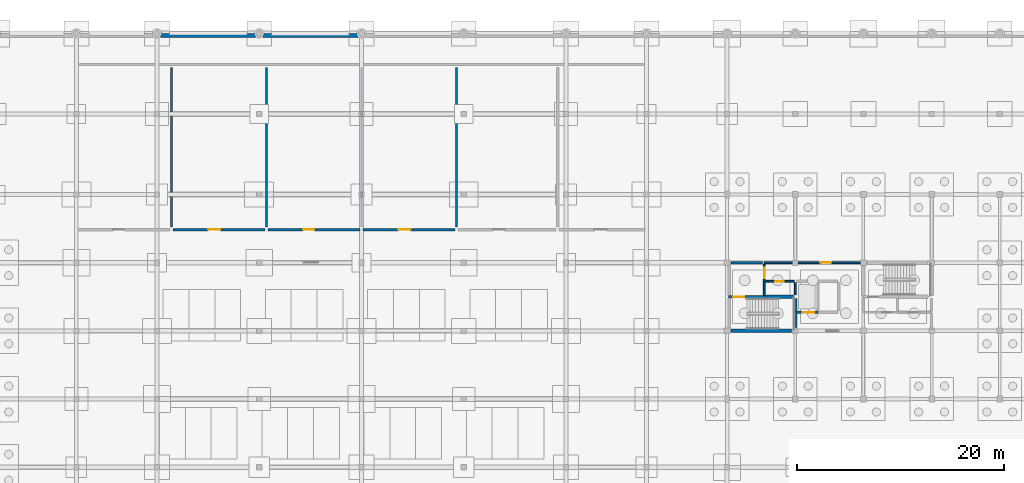
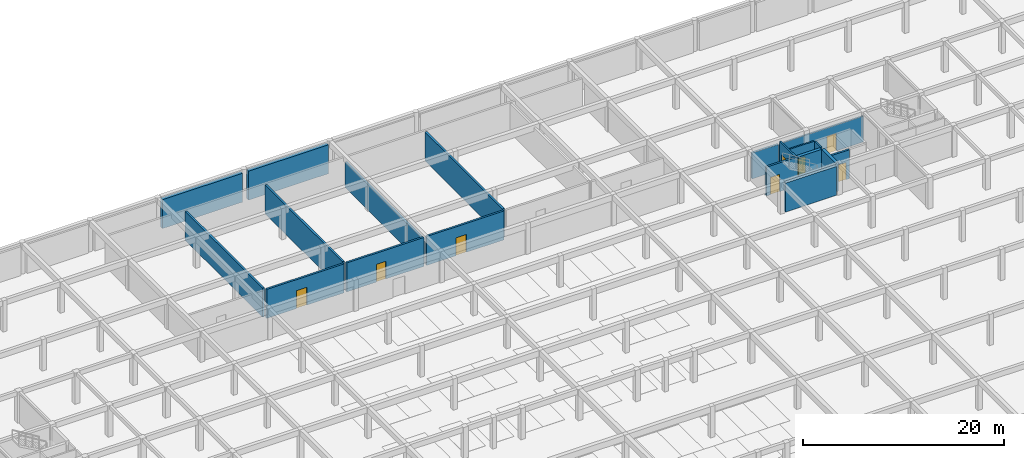
# One storey, part 28 of 37: 19 walls, 8 doors, 8 openings.
"""IFC4 building model written with IfcOpenShell, lengths in metres."""

from ifc_helpers import new_model, si_unit, direction, frame, frame_2d, origin, place, context, subcontext, project, spatial, rectangle, extrude, material, layer, layer_set, type_object, element, fill, save


model = new_model("IFC4")

# Units and contexts
model_context = context("Model", 3, precision=1e-05, world=origin(), true_north=direction((0.0, 1.0)))
body_context = subcontext(model_context, "Body", "Model", "MODEL_VIEW")
ifc_project = project(units=[si_unit("LENGTHUNIT", "METRE"), si_unit("AREAUNIT", "SQUARE_METRE"), si_unit("VOLUMEUNIT", "CUBIC_METRE"), si_unit("PLANEANGLEUNIT", "RADIAN"), si_unit("MASSUNIT", "GRAM", prefix="KILO")], contexts=[model_context])

# Site, building, storey
site_placement = place(None, origin())
site = spatial("IfcSite", under=ifc_project, at=site_placement, CompositionType="ELEMENT")
building_placement = place(site_placement, origin())
building = spatial("IfcBuilding", under=site, at=building_placement, Name="Kernevlak Ridge Housing Community", CompositionType="ELEMENT")
storey_placement = place(building_placement, frame((0.0, 0.0, -3.800048828125)))
storey = spatial("IfcBuildingStorey", under=building, at=storey_placement, Name="B1", CompositionType="ELEMENT", Elevation=-3.800048828125)

# Wall, opening, door
ifc_material_1 = material(Name="Concrete C35/45", Category="concrete")
ifc_layer_1 = layer(ifc_material_1, 0.22509765625, Name="Concrete C35/45")
ifc_layer_set_1 = layer_set([ifc_layer_1], Name="Concrete C35/45")
wall_type_1 = type_object("IfcWallType", Name="PW-01", PredefinedType="STANDARD", material=ifc_layer_set_1)
wall_1_placement = place(storey_placement, frame((119.550048828125, 92.5, 0.0), z_axis=(0.0, 0.0, 1.0), x_axis=(1.0, 0.0, 0.0)))
wall_1 = element("IfcWall", 1, at=wall_1_placement, inside=storey, type_object=wall_type_1, Name="Interior wall PW-01 WAL-INT-B1-1136", PredefinedType="STANDARD", context=body_context, shape_type="SweptSolid", body=[
    extrude(rectangle(XDim=3.599853515625, YDim=0.22509765625, at=frame_2d((1.7998046875, 0.0))), origin(), (0.0, 0.0, 1.0), 3.52001953125),
])
opening_1_placement = place(wall_1_placement, frame((0.449951171875, 0.0, 0.0)))
opening_1 = element("IfcOpeningElement", 2, at=opening_1_placement, cuts=wall_1, Name="Opening D577", PredefinedType="OPENING", context=body_context, shape_type="SweptSolid", body=[
    extrude(rectangle(XDim=1.0400390625, YDim=2.1201171875, at=frame_2d((0.52001953125, 1.06005859375))), frame((0.0, 0.12255859375, 0.0), z_axis=(0.0, -1.0, 0.0), x_axis=(1.0, 0.0, 0.0)), (0.0, 0.0, 1.0), 0.2451171875),
])
ifc_material_2 = material(Name="Fire-rated sheet steel leaf", Category="steel")
door_type_1 = type_object("IfcDoorType", Name="DT-16", OperationType="NOTDEFINED", PredefinedType="DOOR", material=ifc_material_2)
door_1_placement = place(opening_1_placement, origin())
door_1 = element("IfcDoor", 3, at=door_1_placement, inside=storey, type_object=door_type_1, Name="Block B Stair 1 fire door D577", OperationType="SINGLE_SWING_LEFT", OverallHeight=2.1201171875, OverallWidth=1.0400390625, PredefinedType="DOOR", context=body_context, shape_type="SweptSolid", body=[
    extrude(rectangle(XDim=1.0400390625, YDim=2.1201171875, at=frame_2d((0.52001953125, 1.06005859375))), frame((0.0, 0.02490234375, 0.0), z_axis=(0.0, -1.0, 0.0), x_axis=(1.0, 0.0, 0.0)), (0.0, 0.0, 1.0), 0.050048828125),
])
fill(opening_1, door_1)

wall_2_placement = place(storey_placement, frame((126.18505859375, 91.0, 0.0), z_axis=(0.0, 0.0, 1.0), x_axis=(1.0, 0.0, 0.0)))
wall_2 = element("IfcWall", 4, at=wall_2_placement, inside=storey, type_object=wall_type_1, Name="Interior wall PW-01 WAL-INT-B1-1140", PredefinedType="STANDARD", context=body_context, shape_type="SweptSolid", body=[
    extrude(rectangle(XDim=2.014892578125, YDim=0.22509765625, at=frame_2d((1.00732421875, 0.0))), origin(), (0.0, 0.0, 1.0), 3.52001953125),
])
opening_2_placement = place(wall_2_placement, frame((0.550048828125, 0.0, 0.0)))
opening_2 = element("IfcOpeningElement", 5, at=opening_2_placement, cuts=wall_2, Name="Opening LD29", PredefinedType="OPENING", context=body_context, shape_type="SweptSolid", body=[
    extrude(rectangle(XDim=1.10009765625, YDim=2.10009765625, at=frame_2d((0.550048828125, 1.050048828125))), frame((0.0, 0.12255859375, 0.0), z_axis=(0.0, -1.0, 0.0), x_axis=(1.0, 0.0, 0.0)), (0.0, 0.0, 1.0), 0.2451171875),
])
ifc_material_3 = material(Name="Stainless steel EN 1.4401", Category="steel")
door_type_2 = type_object("IfcDoorType", Name="DT-LD1", OperationType="DOUBLE_DOOR_SLIDING", PredefinedType="DOOR", material=ifc_material_3)
door_2_placement = place(opening_2_placement, origin())
door_2 = element("IfcDoor", 6, at=door_2_placement, inside=storey, type_object=door_type_2, Name="Lift LF-B1 landing door LD29", OperationType="DOUBLE_DOOR_SLIDING", OverallHeight=2.10009765625, OverallWidth=1.10009765625, PredefinedType="DOOR", context=body_context, shape_type="SweptSolid", body=[
    extrude(rectangle(XDim=1.10009765625, YDim=2.10009765625, at=frame_2d((0.550048828125, 1.050048828125))), frame((0.0, 0.02490234375, 0.0), z_axis=(0.0, -1.0, 0.0), x_axis=(1.0, 0.0, 0.0)), (0.0, 0.0, 1.0), 0.050048828125),
])
fill(opening_2, door_2)

# Walls
wall_3_placement = place(storey_placement, frame((119.780029296875, 95.800048828125, 0.0), z_axis=(0.0, 0.0, 1.0), x_axis=(1.0, 0.0, 0.0)))
element("IfcWall", 7, at=wall_3_placement, inside=storey, type_object=wall_type_1, Name="Interior wall PW-01 WAL-INT-B1-1155", PredefinedType="STANDARD", context=body_context, shape_type="SweptSolid", body=[
    extrude(rectangle(XDim=3.0400390625, YDim=0.22509765625, at=frame_2d((1.52001953125, 0.0))), origin(), (0.0, 0.0, 1.0), 3.150146484375),
])
wall_4_placement = place(storey_placement, frame((65.60009765625, 99.280029296875, 0.0), z_axis=(0.0, 0.0, 1.0), x_axis=(0.0, 1.0, 0.0)))
element("IfcWall", 8, at=wall_4_placement, inside=storey, type_object=wall_type_1, Name="Interior wall PW-01 WAL-INT-B1-3524", PredefinedType="STANDARD", context=body_context, shape_type="SweptSolid", body=[
    extrude(rectangle(XDim=15.43994140625, YDim=0.22509765625, at=frame_2d((7.719970703125, 0.0))), origin(), (0.0, 0.0, 1.0), 3.52001953125),
])

# Wall, opening, door
wall_5_placement = place(storey_placement, frame((65.75, 99.0, 0.0), z_axis=(0.0, 0.0, 1.0), x_axis=(1.0, 0.0, 0.0)))
wall_5 = element("IfcWall", 9, at=wall_5_placement, inside=storey, type_object=wall_type_1, Name="Interior wall PW-01 WAL-INT-B1-3525", PredefinedType="STANDARD", context=body_context, shape_type="SweptSolid", body=[
    extrude(rectangle(XDim=8.89990234375, YDim=0.22509765625, at=frame_2d((4.449951171875, 0.0))), origin(), (0.0, 0.0, 1.0), 3.52001953125),
])
opening_3_placement = place(wall_5_placement, frame((3.39990234375, 0.0, 0.0)))
opening_3 = element("IfcOpeningElement", 10, at=opening_3_placement, cuts=wall_5, Name="Opening E786", PredefinedType="OPENING", context=body_context, shape_type="SweptSolid", body=[
    extrude(rectangle(XDim=1.199951171875, YDim=2.179931640625, at=frame_2d((0.60009765625, 1.08984375))), frame((0.0, 0.12255859375, 0.0), z_axis=(0.0, -1.0, 0.0), x_axis=(1.0, 0.0, 0.0)), (0.0, 0.0, 1.0), 0.2451171875),
])
door_type_3 = type_object("IfcDoorType", Name="DT-17", OperationType="NOTDEFINED", PredefinedType="DOOR", material=ifc_material_2)
door_3_placement = place(opening_3_placement, origin())
door_3 = element("IfcDoor", 11, at=door_3_placement, inside=storey, type_object=door_type_3, Name="Fire Water Pump Room fire door E786", OperationType="SINGLE_SWING_LEFT", OverallHeight=2.179931640625, OverallWidth=1.199951171875, PredefinedType="DOOR", context=body_context, shape_type="SweptSolid", body=[
    extrude(rectangle(XDim=1.199951171875, YDim=2.179931640625, at=frame_2d((0.60009765625, 1.08984375))), frame((0.0, 0.02490234375, 0.0), z_axis=(0.0, -1.0, 0.0), x_axis=(1.0, 0.0, 0.0)), (0.0, 0.0, 1.0), 0.050048828125),
])
fill(opening_3, door_3)

# Wall
wall_6_placement = place(storey_placement, frame((74.800048828125, 99.280029296875, 0.0), z_axis=(0.0, 0.0, 1.0), x_axis=(0.0, 1.0, 0.0)))
element("IfcWall", 12, at=wall_6_placement, inside=storey, type_object=wall_type_1, Name="Interior wall PW-01 WAL-INT-B1-3526", PredefinedType="STANDARD", context=body_context, shape_type="SweptSolid", body=[
    extrude(rectangle(XDim=15.43994140625, YDim=0.22509765625, at=frame_2d((7.719970703125, 0.0))), origin(), (0.0, 0.0, 1.0), 3.52001953125),
])

# Wall, opening, door
wall_7_placement = place(storey_placement, frame((74.949951171875, 99.0, 0.0), z_axis=(0.0, 0.0, 1.0), x_axis=(1.0, 0.0, 0.0)))
wall_7 = element("IfcWall", 13, at=wall_7_placement, inside=storey, type_object=wall_type_1, Name="Interior wall PW-01 WAL-INT-B1-3527", PredefinedType="STANDARD", context=body_context, shape_type="SweptSolid", body=[
    extrude(rectangle(XDim=8.900146484375, YDim=0.22509765625, at=frame_2d((4.4501953125, 0.0))), origin(), (0.0, 0.0, 1.0), 3.52001953125),
])
opening_4_placement = place(wall_7_placement, frame((3.39990234375, 0.0, 0.0)))
opening_4 = element("IfcOpeningElement", 14, at=opening_4_placement, cuts=wall_7, Name="Opening E787", PredefinedType="OPENING", context=body_context, shape_type="SweptSolid", body=[
    extrude(rectangle(XDim=1.10009765625, YDim=2.14990234375, at=frame_2d((0.550048828125, 1.074951171875))), frame((0.0, 0.12255859375, 0.0), z_axis=(0.0, -1.0, 0.0), x_axis=(1.0, 0.0, 0.0)), (0.0, 0.0, 1.0), 0.2451171875),
])
door_type_4 = type_object("IfcDoorType", Name="DT-06", OperationType="NOTDEFINED", PredefinedType="DOOR", material=ifc_material_2)
door_4_placement = place(opening_4_placement, origin())
door_4 = element("IfcDoor", 15, at=door_4_placement, inside=storey, type_object=door_type_4, Name="Electrical Substation Room fire door E787", OperationType="SINGLE_SWING_RIGHT", OverallHeight=2.14990234375, OverallWidth=1.10009765625, PredefinedType="DOOR", context=body_context, shape_type="SweptSolid", body=[
    extrude(rectangle(XDim=1.10009765625, YDim=2.14990234375, at=frame_2d((0.550048828125, 1.074951171875))), frame((0.0, 0.02490234375, 0.0), z_axis=(0.0, -1.0, 0.0), x_axis=(1.0, 0.0, 0.0)), (0.0, 0.0, 1.0), 0.050048828125),
])
fill(opening_4, door_4)

# Wall
wall_8_placement = place(storey_placement, frame((84.0, 99.280029296875, 0.0), z_axis=(0.0, 0.0, 1.0), x_axis=(0.0, 1.0, 0.0)))
element("IfcWall", 16, at=wall_8_placement, inside=storey, type_object=wall_type_1, Name="Interior wall PW-01 WAL-INT-B1-3528", PredefinedType="STANDARD", context=body_context, shape_type="SweptSolid", body=[
    extrude(rectangle(XDim=15.43994140625, YDim=0.22509765625, at=frame_2d((7.719970703125, 0.0))), origin(), (0.0, 0.0, 1.0), 3.10009765625),
])

# Wall, opening, door
wall_9_placement = place(storey_placement, frame((84.14990234375, 99.0, 0.0), z_axis=(0.0, 0.0, 1.0), x_axis=(1.0, 0.0, 0.0)))
wall_9 = element("IfcWall", 17, at=wall_9_placement, inside=storey, type_object=wall_type_1, Name="Interior wall PW-01 WAL-INT-B1-3529", PredefinedType="STANDARD", context=body_context, shape_type="SweptSolid", body=[
    extrude(rectangle(XDim=8.900146484375, YDim=0.22509765625, at=frame_2d((4.4501953125, 0.0))), origin(), (0.0, 0.0, 1.0), 3.52001953125),
])
opening_5_placement = place(wall_9_placement, frame((3.39990234375, 0.0, 0.0)))
opening_5 = element("IfcOpeningElement", 18, at=opening_5_placement, cuts=wall_9, Name="Opening E788", PredefinedType="OPENING", context=body_context, shape_type="SweptSolid", body=[
    extrude(rectangle(XDim=1.199951171875, YDim=2.179931640625, at=frame_2d((0.60009765625, 1.08984375))), frame((0.0, 0.12255859375, 0.0), z_axis=(0.0, -1.0, 0.0), x_axis=(1.0, 0.0, 0.0)), (0.0, 0.0, 1.0), 0.2451171875),
])
door_5_placement = place(opening_5_placement, origin())
door_5 = element("IfcDoor", 19, at=door_5_placement, inside=storey, type_object=door_type_3, Name="Emergency Generator Room fire door E788", OperationType="SINGLE_SWING_LEFT", OverallHeight=2.179931640625, OverallWidth=1.199951171875, PredefinedType="DOOR", context=body_context, shape_type="SweptSolid", body=[
    extrude(rectangle(XDim=1.199951171875, YDim=2.179931640625, at=frame_2d((0.60009765625, 1.08984375))), frame((0.0, 0.02490234375, 0.0), z_axis=(0.0, -1.0, 0.0), x_axis=(1.0, 0.0, 0.0)), (0.0, 0.0, 1.0), 0.050048828125),
])
fill(opening_5, door_5)

# Wall
wall_10_placement = place(storey_placement, frame((93.199951171875, 99.280029296875, 0.0), z_axis=(0.0, 0.0, 1.0), x_axis=(0.0, 1.0, 0.0)))
element("IfcWall", 20, at=wall_10_placement, inside=storey, type_object=wall_type_1, Name="Interior wall PW-01 WAL-INT-B1-3530", PredefinedType="STANDARD", context=body_context, shape_type="SweptSolid", body=[
    extrude(rectangle(XDim=15.43994140625, YDim=0.22509765625, at=frame_2d((7.719970703125, 0.0))), origin(), (0.0, 0.0, 1.0), 3.52001953125),
])

# Wall, opening, door
ifc_material_4 = material(Name="Concrete block masonry M10", Category="masonry")
ifc_layer_2 = layer(ifc_material_4, 0.175048828125, Name="Concrete block masonry M10")
ifc_layer_set_2 = layer_set([ifc_layer_2], Name="Concrete block masonry M10")
wall_type_2 = type_object("IfcWallType", Name="PW-02", PredefinedType="PARTITIONING", material=ifc_layer_set_2)
wall_11_placement = place(storey_placement, frame((123.0, 92.64990234375, 0.0), z_axis=(0.0, 0.0, 1.0), x_axis=(0.0, 1.0, 0.0)))
wall_11 = element("IfcWall", 21, at=wall_11_placement, inside=storey, type_object=wall_type_2, Name="Interior wall PW-02 WAL-INT-B1-1137", PredefinedType="PARTITIONING", context=body_context, shape_type="SweptSolid", body=[
    extrude(rectangle(XDim=3.0, YDim=0.175048828125, at=frame_2d((1.5, 0.0))), origin(), (0.0, 0.0, 1.0), 3.52001953125),
])
opening_6_placement = place(wall_11_placement, frame((1.64990234375, 0.0, 0.0)))
opening_6 = element("IfcOpeningElement", 22, at=opening_6_placement, cuts=wall_11, Name="Opening D578", PredefinedType="OPENING", context=body_context, shape_type="SweptSolid", body=[
    extrude(rectangle(XDim=1.0, YDim=2.10009765625, at=frame_2d((0.5, 1.050048828125))), frame((0.0, 0.097412109375, 0.0), z_axis=(0.0, -1.0, 0.0), x_axis=(1.0, 0.0, 0.0)), (0.0, 0.0, 1.0), 0.195068359375),
])
door_type_5 = type_object("IfcDoorType", Name="DT-05", OperationType="NOTDEFINED", PredefinedType="DOOR", material=ifc_material_2)
door_6_placement = place(opening_6_placement, origin())
door_6 = element("IfcDoor", 23, at=door_6_placement, inside=storey, type_object=door_type_5, Name="Block B Firefighting lobby 1 door D578", OperationType="SINGLE_SWING_RIGHT", OverallHeight=2.10009765625, OverallWidth=1.0, PredefinedType="DOOR", context=body_context, shape_type="SweptSolid", body=[
    extrude(rectangle(XDim=1.0, YDim=2.10009765625, at=frame_2d((0.5, 1.050048828125))), frame((0.0, 0.02490234375, 0.0), z_axis=(0.0, -1.0, 0.0), x_axis=(1.0, 0.0, 0.0)), (0.0, 0.0, 1.0), 0.050048828125),
])
fill(opening_6, door_6)

wall_12_placement = place(storey_placement, frame((123.10009765625, 94.0, 0.0), z_axis=(0.0, 0.0, 1.0), x_axis=(1.0, 0.0, 0.0)))
wall_12 = element("IfcWall", 24, at=wall_12_placement, inside=storey, type_object=wall_type_2, Name="Interior wall PW-02 WAL-INT-B1-1138", PredefinedType="PARTITIONING", context=body_context, shape_type="SweptSolid", body=[
    extrude(rectangle(XDim=2.7998046875, YDim=0.175048828125, at=frame_2d((1.39990234375, 0.0))), origin(), (0.0, 0.0, 1.0), 3.52001953125),
])
opening_7_placement = place(wall_12_placement, frame((0.949951171875, 0.0, 0.0)))
opening_7 = element("IfcOpeningElement", 25, at=opening_7_placement, cuts=wall_12, Name="Opening D579", PredefinedType="OPENING", context=body_context, shape_type="SweptSolid", body=[
    extrude(rectangle(XDim=0.85009765625, YDim=2.0, at=frame_2d((0.425048828125, 1.0))), frame((0.0, 0.097412109375, 0.0), z_axis=(0.0, -1.0, 0.0), x_axis=(1.0, 0.0, 0.0)), (0.0, 0.0, 1.0), 0.195068359375),
])
door_type_6 = type_object("IfcDoorType", Name="DT-07", OperationType="NOTDEFINED", PredefinedType="DOOR", material=ifc_material_2)
door_7_placement = place(opening_7_placement, origin())
door_7 = element("IfcDoor", 26, at=door_7_placement, inside=storey, type_object=door_type_6, Name="Block B Riser shaft door D579", OperationType="SINGLE_SWING_LEFT", OverallHeight=2.0, OverallWidth=0.85009765625, PredefinedType="DOOR", context=body_context, shape_type="SweptSolid", body=[
    extrude(rectangle(XDim=0.85009765625, YDim=2.0, at=frame_2d((0.425048828125, 1.0))), frame((0.0, 0.02490234375, 0.0), z_axis=(0.0, -1.0, 0.0), x_axis=(1.0, 0.0, 0.0)), (0.0, 0.0, 1.0), 0.050048828125),
])
fill(opening_7, door_7)

# Wall
wall_13_placement = place(storey_placement, frame((126.0, 92.679931640625, 0.0), z_axis=(0.0, 0.0, 1.0), x_axis=(0.0, 1.0, 0.0)))
element("IfcWall", 27, at=wall_13_placement, inside=storey, type_object=wall_type_2, Name="Interior wall PW-02 WAL-INT-B1-1139", PredefinedType="PARTITIONING", context=body_context, shape_type="SweptSolid", body=[
    extrude(rectangle(XDim=1.190185546875, YDim=0.175048828125, at=frame_2d((0.59521484375, 0.0))), origin(), (0.0, 0.0, 1.0), 3.52001953125),
])

# Wall, opening, door
wall_14_placement = place(storey_placement, frame((123.0, 95.800048828125, 0.0), z_axis=(0.0, 0.0, 1.0), x_axis=(1.0, 0.0, 0.0)))
wall_14 = element("IfcWall", 28, at=wall_14_placement, inside=storey, type_object=wall_type_2, Name="Interior wall PW-02 WAL-INT-B1-1153", PredefinedType="PARTITIONING", context=body_context, shape_type="SweptSolid", body=[
    extrude(rectangle(XDim=9.60009765625, YDim=0.175048828125, at=frame_2d((4.800048828125, 0.0))), origin(), (0.0, 0.0, 1.0), 3.150146484375),
])
opening_8_placement = place(wall_14_placement, frame((5.39990234375, 0.0, 0.0)))
opening_8 = element("IfcOpeningElement", 29, at=opening_8_placement, cuts=wall_14, Name="Opening D584", PredefinedType="OPENING", context=body_context, shape_type="SweptSolid", body=[
    extrude(rectangle(XDim=1.10009765625, YDim=2.14990234375, at=frame_2d((0.550048828125, 1.074951171875))), frame((0.0, 0.097412109375, 0.0), z_axis=(0.0, -1.0, 0.0), x_axis=(1.0, 0.0, 0.0)), (0.0, 0.0, 1.0), 0.195068359375),
])
door_8_placement = place(opening_8_placement, origin())
door_8 = element("IfcDoor", 30, at=door_8_placement, inside=storey, type_object=door_type_4, Name="Block B B1 north lobby door D584", OperationType="SINGLE_SWING_RIGHT", OverallHeight=2.14990234375, OverallWidth=1.10009765625, PredefinedType="DOOR", context=body_context, shape_type="SweptSolid", body=[
    extrude(rectangle(XDim=1.10009765625, YDim=2.14990234375, at=frame_2d((0.550048828125, 1.074951171875))), frame((0.0, 0.02490234375, 0.0), z_axis=(0.0, -1.0, 0.0), x_axis=(1.0, 0.0, 0.0)), (0.0, 0.0, 1.0), 0.050048828125),
])
fill(opening_8, door_8)

# Walls
ifc_material_5 = material(Name="Concrete C40/50", Category="concrete")
ifc_layer_3 = layer(ifc_material_5, 0.39990234375, Name="Concrete C40/50")
ifc_layer_set_3 = layer_set([ifc_layer_3], Name="Concrete C40/50")
wall_type_3 = type_object("IfcWallType", Name="RW-01", PredefinedType="USERDEFINED", material=ifc_layer_set_3)
for number, where, z_axis, x_axis, name in (
    (31, (64.550048828125, 117.800048828125, 0.0), (0.0, 0.0, 1.0), (1.0, 0.0, 0.0), "Basement retaining wall RW-01 32"),
    (32, (74.449951171875, 117.800048828125, 0.0), (0.0, 0.0, 1.0), (1.0, 0.0, 0.0), "Basement retaining wall RW-01 33"),
):
    element("IfcWall", number, at=place(storey_placement, frame(where, z_axis=z_axis, x_axis=x_axis)), inside=storey, type_object=wall_type_3, Name=name, ObjectType="RETAININGWALL", PredefinedType="USERDEFINED", context=body_context, shape_type="SweptSolid", body=[
        extrude(rectangle(XDim=9.199951171875, YDim=0.39990234375, at=frame_2d((4.60009765625, 0.0))), origin(), (0.0, 0.0, 1.0), 3.52001953125),
    ])
ifc_layer_4 = layer(ifc_material_5, 0.35009765625, Name="Concrete C40/50")
ifc_layer_set_4 = layer_set([ifc_layer_4], Name="Concrete C40/50")
wall_type_4 = type_object("IfcWallType", Name="SW-01", PredefinedType="SHEAR", material=ifc_layer_set_4)
wall_15_placement = place(storey_placement, frame((119.780029296875, 89.199951171875, 0.0), z_axis=(0.0, 0.0, 1.0), x_axis=(1.0, 0.0, 0.0)))
element("IfcWall", 33, at=wall_15_placement, inside=storey, type_object=wall_type_4, Name="Shear wall SW-01 Block B B1 201", PredefinedType="SHEAR", context=body_context, shape_type="SweptSolid", body=[
    extrude(rectangle(XDim=5.840087890625, YDim=0.35009765625, at=frame_2d((2.919921875, 0.0))), origin(), (0.0, 0.0, 1.0), 3.52001953125),
])
wall_16_placement = place(storey_placement, frame((123.14990234375, 92.5, 0.0), z_axis=(0.0, 0.0, 1.0), x_axis=(1.0, 0.0, 0.0)))
element("IfcWall", 34, at=wall_16_placement, inside=storey, type_object=wall_type_4, Name="Shear wall SW-01 Block B B1 202", PredefinedType="SHEAR", context=body_context, shape_type="SweptSolid", body=[
    extrude(rectangle(XDim=2.7001953125, YDim=0.35009765625, at=frame_2d((1.35009765625, 0.0))), origin(), (0.0, 0.0, 1.0), 3.52001953125),
])
wall_17_placement = place(storey_placement, frame((126.0, 89.550048828125, 0.0), z_axis=(0.0, 0.0, 1.0), x_axis=(0.0, 1.0, 0.0)))
element("IfcWall", 35, at=wall_17_placement, inside=storey, type_object=wall_type_4, Name="Shear wall SW-01 Block B B1 203", PredefinedType="SHEAR", context=body_context, shape_type="SweptSolid", body=[
    extrude(rectangle(XDim=2.800048828125, YDim=0.35009765625, at=frame_2d((1.39990234375, 0.0))), origin(), (0.0, 0.0, 1.0), 3.52001953125),
])

save(model, "model.ifc")
